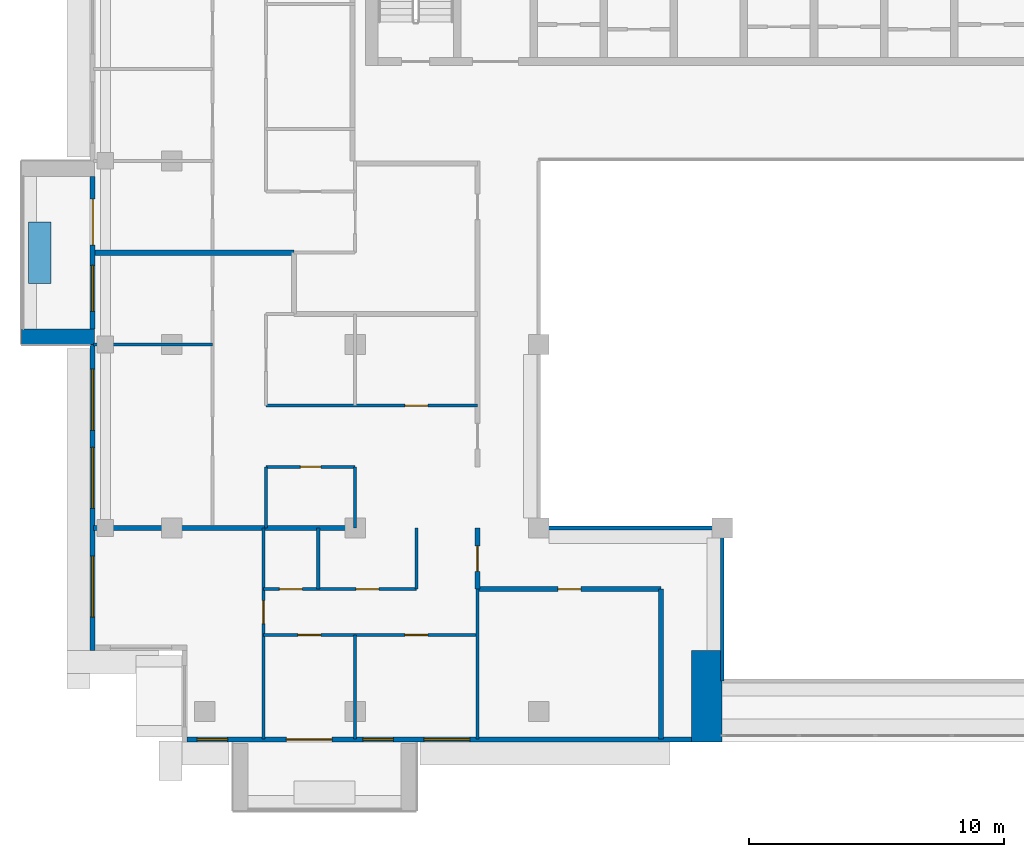
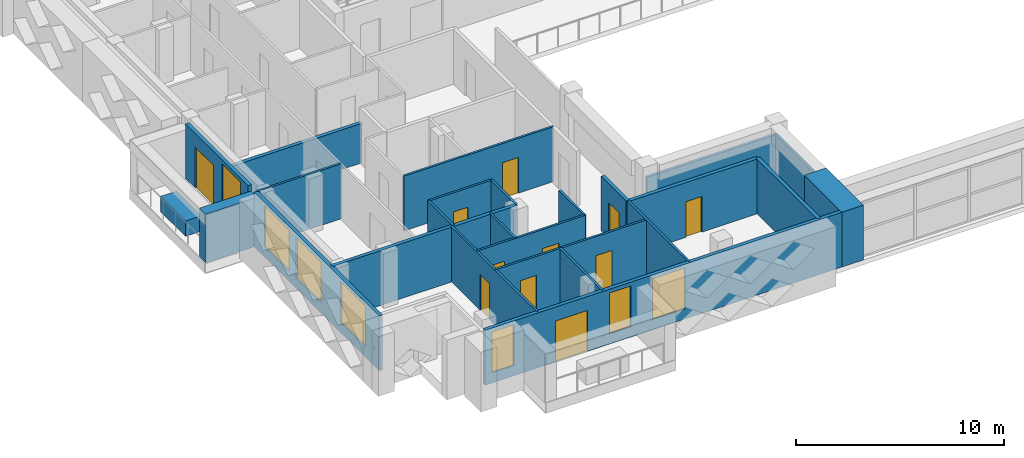
# One storey, part 6 of 19: 25 walls, 11 doors, 7 windows, 18 openings.
"""IFC4 building model written with IfcOpenShell, lengths in metres."""

from ifc_helpers import new_model, si_unit, direction, frame, frame_2d, origin, place, context, subcontext, project, spatial, rectangle, extrude, material, layer, layer_set, type_object, element, fill, save


model = new_model("IFC4")

# Units and contexts
model_context = context("Model", 3, precision=1e-05, world=origin(), true_north=direction((0.0, 1.0)))
body_context = subcontext(model_context, "Body", "Model", "MODEL_VIEW")
ifc_project = project(units=[si_unit("LENGTHUNIT", "METRE"), si_unit("AREAUNIT", "SQUARE_METRE"), si_unit("VOLUMEUNIT", "CUBIC_METRE"), si_unit("PLANEANGLEUNIT", "RADIAN"), si_unit("MASSUNIT", "GRAM", prefix="KILO")], contexts=[model_context])

# Site, building, storey
site_placement = place(None, origin())
site = spatial("IfcSite", under=ifc_project, at=site_placement, CompositionType="ELEMENT")
building_placement = place(site_placement, origin())
building = spatial("IfcBuilding", under=site, at=building_placement, Name="Saffron Iwan Residences", CompositionType="ELEMENT")
storey_placement = place(building_placement, frame((0.0, 0.0, 236.0)))
storey = spatial("IfcBuildingStorey", under=building, at=storey_placement, Name="L63", CompositionType="ELEMENT", Elevation=236.0)

# Walls
ifc_material_1 = material(Name="Fire-rated glazing", Category="glass")
ifc_layer_1 = layer(ifc_material_1, 0.14990234375)
ifc_layer_set_1 = layer_set([ifc_layer_1], Name="Fire-rated glazing")
wall_type_1 = type_object("IfcWallType", Name="Atrium glazed screen 150", PredefinedType="SOLIDWALL", material=ifc_layer_set_1)
wall_1_placement = place(storey_placement, frame((36.0, 48.0, 0.0), z_axis=(0.0, 0.0, 1.0), x_axis=(1.0, 0.0, 0.0)))
element("IfcWall", 1, at=wall_1_placement, inside=storey, type_object=wall_type_1, Name="W-L63-SCREEN-h48-36", PredefinedType="SOLIDWALL", context=body_context, shape_type="SweptSolid", body=[
    extrude(rectangle(XDim=7.199951171875, YDim=0.14990234375, at=frame_2d((3.60009765625, 0.0))), origin(), (0.0, 0.0, 1.0), 2.320068359375),
])
wall_2_placement = place(storey_placement, frame((43.199951171875, 42.0, 0.0), z_axis=(0.0, 0.0, 1.0), x_axis=(0.0, 1.0, 0.0)))
element("IfcWall", 2, at=wall_2_placement, inside=storey, type_object=wall_type_1, Name="W-L63-SCREEN-v43.2-42", PredefinedType="SOLIDWALL", context=body_context, shape_type="SweptSolid", body=[
    extrude(rectangle(XDim=6.0, YDim=0.14990234375, at=frame_2d((3.0, 0.0))), origin(), (0.0, 0.0, 1.0), 2.320068359375),
])
ifc_material_2 = material(Name="Concrete C50/60 white painted", Category="concrete")
ifc_layer_2 = layer(ifc_material_2, 0.60009765625)
ifc_layer_set_2 = layer_set([ifc_layer_2], Name="Concrete C50/60 white painted")
wall_type_2 = type_object("IfcWallType", Name="BALCONY FIN 600", PredefinedType="SOLIDWALL", material=ifc_layer_set_2)
wall_3_placement = place(storey_placement, frame((18.574951171875, 55.5, 0.0), z_axis=(0.0, 0.0, 1.0), x_axis=(-1.0, 0.0, 0.0)))
element("IfcWall", 3, at=wall_3_placement, inside=storey, type_object=wall_type_2, Name="Balcony fin L63 F8-0b", PredefinedType="SOLIDWALL", context=body_context, shape_type="SweptSolid", body=[
    extrude(rectangle(XDim=2.875, YDim=0.60009765625, at=frame_2d((1.4375, 0.0))), origin(), (0.0, 0.0, 1.0), 2.85009765625),
])
ifc_material_3 = material(Name="Concrete C35/45 white painted", Category="concrete")
ifc_layer_3 = layer(ifc_material_3, 0.14990234375)
ifc_layer_set_3 = layer_set([ifc_layer_3], Name="Concrete C35/45 white painted")
wall_type_3 = type_object("IfcWallType", Name="BALCONY PLANTER", PredefinedType="SOLIDWALL", material=ifc_layer_set_3)
wall_4_placement = place(storey_placement, frame((16.425048828125, 60.0, 0.0), z_axis=(0.0, 0.0, 1.0), x_axis=(0.0, -1.0, 0.0)))
element("IfcWall", 4, at=wall_4_placement, inside=storey, type_object=wall_type_3, Name="PLANTER L63 F8-0", PredefinedType="SOLIDWALL", context=body_context, shape_type="SweptSolid", body=[
    extrude(rectangle(XDim=2.39990234375, YDim=0.89990234375, at=frame_2d((1.199951171875, 0.0))), origin(), (0.0, 0.0, 1.0), 0.89990234375),
])

# Wall, openings, door, window
ifc_material_4 = material(Name="Concrete C40/50", Category="concrete")
ifc_layer_4 = layer(ifc_material_4, 0.199951171875)
ifc_layer_set_4 = layer_set([ifc_layer_4], Name="Concrete C40/50")
wall_type_4 = type_object("IfcWallType", Name="EXTERNAL WALL 200", PredefinedType="SOLIDWALL", material=ifc_layer_set_4)
wall_5_placement = place(storey_placement, frame((18.5, 61.800048828125, 0.0), z_axis=(0.0, 0.0, 1.0), x_axis=(0.0, -1.0, 0.0)))
wall_5 = element("IfcWall", 5, at=wall_5_placement, inside=storey, type_object=wall_type_4, Name="External wall L63 F8.1", PredefinedType="SOLIDWALL", context=body_context, shape_type="SweptSolid", body=[
    extrude(rectangle(XDim=6.0, YDim=0.199951171875, at=frame_2d((3.0, 0.0))), origin(), (0.0, 0.0, 1.0), 3.219970703125),
])
opening_1_placement = place(wall_5_placement, frame((0.89990234375, 0.0, 0.0)))
opening_1 = element("IfcOpeningElement", 6, at=opening_1_placement, cuts=wall_5, Name="Opening BD1", PredefinedType="OPENING", context=body_context, shape_type="SweptSolid", body=[
    extrude(rectangle(XDim=1.800048828125, YDim=2.39990234375, at=frame_2d((0.89990234375, 1.199951171875))), frame((0.0, 0.10986328125, 0.0), z_axis=(0.0, -1.0, 0.0), x_axis=(1.0, 0.0, 0.0)), (0.0, 0.0, 1.0), 0.219970703125),
])
opening_2_placement = place(wall_5_placement, frame((3.5, 0.0, 0.60009765625)))
opening_2 = element("IfcOpeningElement", 7, at=opening_2_placement, cuts=wall_5, Name="Opening W8", PredefinedType="OPENING", context=body_context, shape_type="SweptSolid", body=[
    extrude(rectangle(XDim=1.800048828125, YDim=2.39990234375, at=frame_2d((0.89990234375, 1.199951171875))), frame((0.0, 0.10986328125, 0.0), z_axis=(0.0, -1.0, 0.0), x_axis=(1.0, 0.0, 0.0)), (0.0, 0.0, 1.0), 0.219970703125),
])
ifc_material_5 = material(Name="Clear glass, laminated double glazed", Category="glass")
door_type_1 = type_object("IfcDoorType", Name="BALCONY DOOR 1800 x 2400", OperationType="DOUBLE_DOOR_SLIDING", PredefinedType="DOOR", material=ifc_material_5)
door_1_placement = place(opening_1_placement, origin())
door_1 = element("IfcDoor", 8, at=door_1_placement, inside=storey, type_object=door_type_1, Name="Balcony door L63 F8.0", OperationType="DOUBLE_DOOR_SLIDING", OverallHeight=2.39990234375, OverallWidth=1.800048828125, PredefinedType="DOOR", context=body_context, shape_type="SweptSolid", body=[
    extrude(rectangle(XDim=1.800048828125, YDim=2.39990234375, at=frame_2d((0.89990234375, 1.199951171875))), frame((0.0, 0.02490234375, 0.0), z_axis=(0.0, -1.0, 0.0), x_axis=(1.0, 0.0, 0.0)), (0.0, 0.0, 1.0), 0.050048828125),
])
fill(opening_1, door_1)
window_type_1 = type_object("IfcWindowType", Name="WINDOW 1800 x 2400", PartitioningType="DOUBLE_PANEL_VERTICAL", PredefinedType="WINDOW", material=ifc_material_5)
window_1_placement = place(opening_2_placement, origin())
window_1 = element("IfcWindow", 9, at=window_1_placement, inside=storey, type_object=window_type_1, Name="Window L63 F8.1", OverallHeight=2.39990234375, OverallWidth=1.800048828125, PartitioningType="DOUBLE_PANEL_VERTICAL", PredefinedType="WINDOW", context=body_context, shape_type="SweptSolid", body=[
    extrude(rectangle(XDim=1.800048828125, YDim=2.39990234375, at=frame_2d((0.89990234375, 1.199951171875))), frame((0.0, 0.030029296875, 0.0), z_axis=(0.0, -1.0, 0.0), x_axis=(1.0, 0.0, 0.0)), (0.0, 0.0, 1.0), 0.06005859375),
])
fill(opening_2, window_1)

# Wall, openings, windows
wall_6_placement = place(storey_placement, frame((18.5, 55.199951171875, 0.0), z_axis=(0.0, 0.0, 1.0), x_axis=(0.0, -1.0, 0.0)))
wall_6 = element("IfcWall", 10, at=wall_6_placement, inside=storey, type_object=wall_type_4, Name="External wall L63 F8.2", PredefinedType="SOLIDWALL", context=body_context, shape_type="SweptSolid", body=[
    extrude(rectangle(XDim=12.0, YDim=0.199951171875, at=frame_2d((6.0, 0.0))), origin(), (0.0, 0.0, 1.0), 3.219970703125),
])
opening_3_placement = place(wall_6_placement, frame((8.300048828125, 0.0, 0.60009765625)))
opening_3 = element("IfcOpeningElement", 11, at=opening_3_placement, cuts=wall_6, Name="Opening W1", PredefinedType="OPENING", context=body_context, shape_type="SweptSolid", body=[
    extrude(rectangle(XDim=2.39990234375, YDim=2.39990234375, at=frame_2d((1.199951171875, 1.199951171875))), frame((0.0, 0.10986328125, 0.0), z_axis=(0.0, -1.0, 0.0), x_axis=(1.0, 0.0, 0.0)), (0.0, 0.0, 1.0), 0.219970703125),
])
opening_4_placement = place(wall_6_placement, frame((0.966796875, 0.0, 0.60009765625)))
opening_4 = element("IfcOpeningElement", 12, at=opening_4_placement, cuts=wall_6, Name="Opening W1", PredefinedType="OPENING", context=body_context, shape_type="SweptSolid", body=[
    extrude(rectangle(XDim=2.39990234375, YDim=2.39990234375, at=frame_2d((1.199951171875, 1.199951171875))), frame((0.0, 0.10986328125, 0.0), z_axis=(0.0, -1.0, 0.0), x_axis=(1.0, 0.0, 0.0)), (0.0, 0.0, 1.0), 0.219970703125),
])
opening_5_placement = place(wall_6_placement, frame((4.033203125, 0.0, 0.60009765625)))
opening_5 = element("IfcOpeningElement", 13, at=opening_5_placement, cuts=wall_6, Name="Opening W1", PredefinedType="OPENING", context=body_context, shape_type="SweptSolid", body=[
    extrude(rectangle(XDim=2.39990234375, YDim=2.39990234375, at=frame_2d((1.199951171875, 1.199951171875))), frame((0.0, 0.10986328125, 0.0), z_axis=(0.0, -1.0, 0.0), x_axis=(1.0, 0.0, 0.0)), (0.0, 0.0, 1.0), 0.219970703125),
])
window_type_2 = type_object("IfcWindowType", Name="WINDOW 2400 x 2400", PartitioningType="DOUBLE_PANEL_VERTICAL", PredefinedType="WINDOW", material=ifc_material_5)
window_2_placement = place(opening_3_placement, origin())
window_2 = element("IfcWindow", 14, at=window_2_placement, inside=storey, type_object=window_type_2, Name="Window L63 F8.0", OverallHeight=2.39990234375, OverallWidth=2.39990234375, PartitioningType="DOUBLE_PANEL_VERTICAL", PredefinedType="WINDOW", context=body_context, shape_type="SweptSolid", body=[
    extrude(rectangle(XDim=2.39990234375, YDim=2.39990234375, at=frame_2d((1.199951171875, 1.199951171875))), frame((0.0, 0.030029296875, 0.0), z_axis=(0.0, -1.0, 0.0), x_axis=(1.0, 0.0, 0.0)), (0.0, 0.0, 1.0), 0.06005859375),
])
fill(opening_3, window_2)
window_3_placement = place(opening_4_placement, origin())
window_3 = element("IfcWindow", 15, at=window_3_placement, inside=storey, type_object=window_type_2, Name="Window L63 F8.1", OverallHeight=2.39990234375, OverallWidth=2.39990234375, PartitioningType="DOUBLE_PANEL_VERTICAL", PredefinedType="WINDOW", context=body_context, shape_type="SweptSolid", body=[
    extrude(rectangle(XDim=2.39990234375, YDim=2.39990234375, at=frame_2d((1.199951171875, 1.199951171875))), frame((0.0, 0.030029296875, 0.0), z_axis=(0.0, -1.0, 0.0), x_axis=(1.0, 0.0, 0.0)), (0.0, 0.0, 1.0), 0.06005859375),
])
fill(opening_4, window_3)
window_4_placement = place(opening_5_placement, origin())
window_4 = element("IfcWindow", 16, at=window_4_placement, inside=storey, type_object=window_type_2, Name="Window L63 F8.2", OverallHeight=2.39990234375, OverallWidth=2.39990234375, PartitioningType="DOUBLE_PANEL_VERTICAL", PredefinedType="WINDOW", context=body_context, shape_type="SweptSolid", body=[
    extrude(rectangle(XDim=2.39990234375, YDim=2.39990234375, at=frame_2d((1.199951171875, 1.199951171875))), frame((0.0, 0.030029296875, 0.0), z_axis=(0.0, -1.0, 0.0), x_axis=(1.0, 0.0, 0.0)), (0.0, 0.0, 1.0), 0.06005859375),
])
fill(opening_5, window_4)

# Wall, openings, door, windows
wall_7_placement = place(storey_placement, frame((22.199951171875, 39.699951171875, 0.0), z_axis=(0.0, 0.0, 1.0), x_axis=(1.0, 0.0, 0.0)))
wall_7 = element("IfcWall", 17, at=wall_7_placement, inside=storey, type_object=wall_type_4, Name="External wall L63 F11.0", PredefinedType="SOLIDWALL", context=body_context, shape_type="SweptSolid", body=[
    extrude(rectangle(XDim=19.800048828125, YDim=0.199951171875, at=frame_2d((9.89990234375, 0.0))), origin(), (0.0, 0.0, 1.0), 3.219970703125),
])
opening_6_placement = place(wall_7_placement, frame((3.89990234375, 0.0, 0.0)))
opening_6 = element("IfcOpeningElement", 18, at=opening_6_placement, cuts=wall_7, Name="Opening BD1", PredefinedType="OPENING", context=body_context, shape_type="SweptSolid", body=[
    extrude(rectangle(XDim=1.800048828125, YDim=2.39990234375, at=frame_2d((0.89990234375, 1.199951171875))), frame((0.0, 0.10986328125, 0.0), z_axis=(0.0, -1.0, 0.0), x_axis=(1.0, 0.0, 0.0)), (0.0, 0.0, 1.0), 0.219970703125),
])
opening_7_placement = place(wall_7_placement, frame((0.39990234375, 0.0, 0.60009765625)))
opening_7 = element("IfcOpeningElement", 19, at=opening_7_placement, cuts=wall_7, Name="Opening W3", PredefinedType="OPENING", context=body_context, shape_type="SweptSolid", body=[
    extrude(rectangle(XDim=1.199951171875, YDim=2.39990234375, at=frame_2d((0.60009765625, 1.199951171875))), frame((0.0, 0.10986328125, 0.0), z_axis=(0.0, -1.0, 0.0), x_axis=(1.0, 0.0, 0.0)), (0.0, 0.0, 1.0), 0.219970703125),
])
opening_8_placement = place(wall_7_placement, frame((6.89990234375, 0.0, 0.60009765625)))
opening_8 = element("IfcOpeningElement", 20, at=opening_8_placement, cuts=wall_7, Name="Opening W3", PredefinedType="OPENING", context=body_context, shape_type="SweptSolid", body=[
    extrude(rectangle(XDim=1.199951171875, YDim=2.39990234375, at=frame_2d((0.60009765625, 1.199951171875))), frame((0.0, 0.10986328125, 0.0), z_axis=(0.0, -1.0, 0.0), x_axis=(1.0, 0.0, 0.0)), (0.0, 0.0, 1.0), 0.219970703125),
])
opening_9_placement = place(wall_7_placement, frame((9.300048828125, 0.0, 0.60009765625)))
opening_9 = element("IfcOpeningElement", 21, at=opening_9_placement, cuts=wall_7, Name="Opening W8", PredefinedType="OPENING", context=body_context, shape_type="SweptSolid", body=[
    extrude(rectangle(XDim=1.800048828125, YDim=2.39990234375, at=frame_2d((0.89990234375, 1.199951171875))), frame((0.0, 0.10986328125, 0.0), z_axis=(0.0, -1.0, 0.0), x_axis=(1.0, 0.0, 0.0)), (0.0, 0.0, 1.0), 0.219970703125),
])
door_2_placement = place(opening_6_placement, origin())
door_2 = element("IfcDoor", 22, at=door_2_placement, inside=storey, type_object=door_type_1, Name="Balcony door L63 F11.0", OperationType="DOUBLE_DOOR_SLIDING", OverallHeight=2.39990234375, OverallWidth=1.800048828125, PredefinedType="DOOR", context=body_context, shape_type="SweptSolid", body=[
    extrude(rectangle(XDim=1.800048828125, YDim=2.39990234375, at=frame_2d((0.89990234375, 1.199951171875))), frame((0.0, 0.02490234375, 0.0), z_axis=(0.0, -1.0, 0.0), x_axis=(1.0, 0.0, 0.0)), (0.0, 0.0, 1.0), 0.050048828125),
])
fill(opening_6, door_2)
window_type_3 = type_object("IfcWindowType", Name="WINDOW 1200 x 2400", PartitioningType="SINGLE_PANEL", PredefinedType="WINDOW", material=ifc_material_5)
window_5_placement = place(opening_7_placement, origin())
window_5 = element("IfcWindow", 23, at=window_5_placement, inside=storey, type_object=window_type_3, Name="Window L63 F11.1", OverallHeight=2.39990234375, OverallWidth=1.199951171875, PartitioningType="SINGLE_PANEL", PredefinedType="WINDOW", context=body_context, shape_type="SweptSolid", body=[
    extrude(rectangle(XDim=1.199951171875, YDim=2.39990234375, at=frame_2d((0.60009765625, 1.199951171875))), frame((0.0, 0.030029296875, 0.0), z_axis=(0.0, -1.0, 0.0), x_axis=(1.0, 0.0, 0.0)), (0.0, 0.0, 1.0), 0.06005859375),
])
fill(opening_7, window_5)
window_6_placement = place(opening_8_placement, origin())
window_6 = element("IfcWindow", 24, at=window_6_placement, inside=storey, type_object=window_type_3, Name="Window L63 F11.2", OverallHeight=2.39990234375, OverallWidth=1.199951171875, PartitioningType="SINGLE_PANEL", PredefinedType="WINDOW", context=body_context, shape_type="SweptSolid", body=[
    extrude(rectangle(XDim=1.199951171875, YDim=2.39990234375, at=frame_2d((0.60009765625, 1.199951171875))), frame((0.0, 0.030029296875, 0.0), z_axis=(0.0, -1.0, 0.0), x_axis=(1.0, 0.0, 0.0)), (0.0, 0.0, 1.0), 0.06005859375),
])
fill(opening_8, window_6)
window_7_placement = place(opening_9_placement, origin())
window_7 = element("IfcWindow", 25, at=window_7_placement, inside=storey, type_object=window_type_1, Name="Window L63 F11.3", OverallHeight=2.39990234375, OverallWidth=1.800048828125, PartitioningType="DOUBLE_PANEL_VERTICAL", PredefinedType="WINDOW", context=body_context, shape_type="SweptSolid", body=[
    extrude(rectangle(XDim=1.800048828125, YDim=2.39990234375, at=frame_2d((0.89990234375, 1.199951171875))), frame((0.0, 0.030029296875, 0.0), z_axis=(0.0, -1.0, 0.0), x_axis=(1.0, 0.0, 0.0)), (0.0, 0.0, 1.0), 0.06005859375),
])
fill(opening_9, window_7)

# Walls
ifc_material_6 = material(Name="Fire-rated gypsum board wall")
ifc_layer_5 = layer(ifc_material_6, 0.199951171875)
ifc_layer_set_5 = layer_set([ifc_layer_5], Name="Fire-rated gypsum board wall")
wall_type_5 = type_object("IfcWallType", Name="Flat demising wall 200", PredefinedType="SOLIDWALL", material=ifc_layer_set_5)
wall_8_placement = place(storey_placement, frame((18.52490234375, 48.0, 0.0), z_axis=(0.0, 0.0, 1.0), x_axis=(1.0, 0.0, 0.0)))
element("IfcWall", 26, at=wall_8_placement, inside=storey, type_object=wall_type_5, Name="W-L63-DEMISE-h48-18.525", PredefinedType="SOLIDWALL", context=body_context, shape_type="SweptSolid", body=[
    extrude(rectangle(XDim=10.275146484375, YDim=0.199951171875, at=frame_2d((5.1376953125, 0.0))), origin(), (0.0, 0.0, 1.0), 3.219970703125),
])
wall_9_placement = place(storey_placement, frame((18.52490234375, 58.800048828125, 0.0), z_axis=(0.0, 0.0, 1.0), x_axis=(1.0, 0.0, 0.0)))
element("IfcWall", 27, at=wall_9_placement, inside=storey, type_object=wall_type_5, Name="W-L63-DEMISE-h58.8-18.525", PredefinedType="SOLIDWALL", context=body_context, shape_type="SweptSolid", body=[
    extrude(rectangle(XDim=7.875, YDim=0.199951171875, at=frame_2d((3.9375, 0.0))), origin(), (0.0, 0.0, 1.0), 2.320068359375),
])

# Wall, openings, doors
ifc_material_7 = material(Name="Gypsum board partition")
ifc_layer_6 = layer(ifc_material_7, 0.1201171875)
ifc_layer_set_6 = layer_set([ifc_layer_6], Name="Gypsum board partition")
wall_type_6 = type_object("IfcWallType", Name="Flat partition 120", PredefinedType="PARTITIONING", material=ifc_layer_set_6)
wall_10_placement = place(storey_placement, frame((25.199951171875, 43.800048828125, 0.0), z_axis=(0.0, 0.0, 1.0), x_axis=(1.0, 0.0, 0.0)))
wall_10 = element("IfcWall", 28, at=wall_10_placement, inside=storey, type_object=wall_type_6, Name="W-L63-PART-h43.8-25.2", PredefinedType="PARTITIONING", context=body_context, shape_type="SweptSolid", body=[
    extrude(rectangle(XDim=8.400146484375, YDim=0.1201171875, at=frame_2d((4.2001953125, 0.0))), origin(), (0.0, 0.0, 1.0), 3.219970703125),
])
opening_10_placement = place(wall_10_placement, frame((1.35009765625, 0.0, 0.0)))
opening_10 = element("IfcOpeningElement", 29, at=opening_10_placement, cuts=wall_10, Name="Opening FD2", PredefinedType="OPENING", context=body_context, shape_type="SweptSolid", body=[
    extrude(rectangle(XDim=0.89990234375, YDim=2.10009765625, at=frame_2d((0.449951171875, 1.050048828125))), frame((0.0, 0.070068359375, 0.0), z_axis=(0.0, -1.0, 0.0), x_axis=(1.0, 0.0, 0.0)), (0.0, 0.0, 1.0), 0.14013671875),
])
opening_11_placement = place(wall_10_placement, frame((5.550048828125, 0.0, 0.0)))
opening_11 = element("IfcOpeningElement", 30, at=opening_11_placement, cuts=wall_10, Name="Opening FD2", PredefinedType="OPENING", context=body_context, shape_type="SweptSolid", body=[
    extrude(rectangle(XDim=0.89990234375, YDim=2.10009765625, at=frame_2d((0.449951171875, 1.050048828125))), frame((0.0, 0.070068359375, 0.0), z_axis=(0.0, -1.0, 0.0), x_axis=(1.0, 0.0, 0.0)), (0.0, 0.0, 1.0), 0.14013671875),
])
ifc_material_8 = material(Name="Timber door", Category="wood")
door_type_2 = type_object("IfcDoorType", Name="Flat door 900", OperationType="NOTDEFINED", PredefinedType="DOOR", material=ifc_material_8)
door_3_placement = place(opening_10_placement, origin())
door_3 = element("IfcDoor", 31, at=door_3_placement, inside=storey, type_object=door_type_2, Name="Door L63-003", OperationType="SINGLE_SWING_LEFT", OverallHeight=2.10009765625, OverallWidth=0.89990234375, PredefinedType="DOOR", context=body_context, shape_type="SweptSolid", body=[
    extrude(rectangle(XDim=0.89990234375, YDim=2.10009765625, at=frame_2d((0.449951171875, 1.050048828125))), frame((0.0, 0.02490234375, 0.0), z_axis=(0.0, -1.0, 0.0), x_axis=(1.0, 0.0, 0.0)), (0.0, 0.0, 1.0), 0.050048828125),
])
fill(opening_10, door_3)
door_4_placement = place(opening_11_placement, origin())
door_4 = element("IfcDoor", 32, at=door_4_placement, inside=storey, type_object=door_type_2, Name="Door L63-004", OperationType="SINGLE_SWING_RIGHT", OverallHeight=2.10009765625, OverallWidth=0.89990234375, PredefinedType="DOOR", context=body_context, shape_type="SweptSolid", body=[
    extrude(rectangle(XDim=0.89990234375, YDim=2.10009765625, at=frame_2d((0.449951171875, 1.050048828125))), frame((0.0, 0.02490234375, 0.0), z_axis=(0.0, -1.0, 0.0), x_axis=(1.0, 0.0, 0.0)), (0.0, 0.0, 1.0), 0.050048828125),
])
fill(opening_11, door_4)

wall_11_placement = place(storey_placement, frame((25.199951171875, 45.60009765625, 0.0), z_axis=(0.0, 0.0, 1.0), x_axis=(1.0, 0.0, 0.0)))
wall_11 = element("IfcWall", 33, at=wall_11_placement, inside=storey, type_object=wall_type_6, Name="W-L63-PART-h45.6-25.2", PredefinedType="PARTITIONING", context=body_context, shape_type="SweptSolid", body=[
    extrude(rectangle(XDim=6.0, YDim=0.1201171875, at=frame_2d((3.0, 0.0))), origin(), (0.0, 0.0, 1.0), 3.219970703125),
])
opening_12_placement = place(wall_11_placement, frame((0.625, 0.0, 0.0)))
opening_12 = element("IfcOpeningElement", 34, at=opening_12_placement, cuts=wall_11, Name="Opening FD2", PredefinedType="OPENING", context=body_context, shape_type="SweptSolid", body=[
    extrude(rectangle(XDim=0.89990234375, YDim=2.10009765625, at=frame_2d((0.449951171875, 1.050048828125))), frame((0.0, 0.070068359375, 0.0), z_axis=(0.0, -1.0, 0.0), x_axis=(1.0, 0.0, 0.0)), (0.0, 0.0, 1.0), 0.14013671875),
])
opening_13_placement = place(wall_11_placement, frame((3.625, 0.0, 0.0)))
opening_13 = element("IfcOpeningElement", 35, at=opening_13_placement, cuts=wall_11, Name="Opening FD2", PredefinedType="OPENING", context=body_context, shape_type="SweptSolid", body=[
    extrude(rectangle(XDim=0.89990234375, YDim=2.10009765625, at=frame_2d((0.449951171875, 1.050048828125))), frame((0.0, 0.070068359375, 0.0), z_axis=(0.0, -1.0, 0.0), x_axis=(1.0, 0.0, 0.0)), (0.0, 0.0, 1.0), 0.14013671875),
])
door_5_placement = place(opening_12_placement, origin())
door_5 = element("IfcDoor", 36, at=door_5_placement, inside=storey, type_object=door_type_2, Name="Door L63-005", OperationType="SINGLE_SWING_LEFT", OverallHeight=2.10009765625, OverallWidth=0.89990234375, PredefinedType="DOOR", context=body_context, shape_type="SweptSolid", body=[
    extrude(rectangle(XDim=0.89990234375, YDim=2.10009765625, at=frame_2d((0.449951171875, 1.050048828125))), frame((0.0, 0.02490234375, 0.0), z_axis=(0.0, -1.0, 0.0), x_axis=(1.0, 0.0, 0.0)), (0.0, 0.0, 1.0), 0.050048828125),
])
fill(opening_12, door_5)
door_6_placement = place(opening_13_placement, origin())
door_6 = element("IfcDoor", 37, at=door_6_placement, inside=storey, type_object=door_type_2, Name="Door L63-006", OperationType="SINGLE_SWING_LEFT", OverallHeight=2.10009765625, OverallWidth=0.89990234375, PredefinedType="DOOR", context=body_context, shape_type="SweptSolid", body=[
    extrude(rectangle(XDim=0.89990234375, YDim=2.10009765625, at=frame_2d((0.449951171875, 1.050048828125))), frame((0.0, 0.02490234375, 0.0), z_axis=(0.0, -1.0, 0.0), x_axis=(1.0, 0.0, 0.0)), (0.0, 0.0, 1.0), 0.050048828125),
])
fill(opening_13, door_6)

# Wall, opening, door
wall_12_placement = place(storey_placement, frame((25.300048828125, 50.39990234375, 0.0), z_axis=(0.0, 0.0, 1.0), x_axis=(1.0, 0.0, 0.0)))
wall_12 = element("IfcWall", 38, at=wall_12_placement, inside=storey, type_object=wall_type_6, Name="W-L63-PART-h50.4-25.3", PredefinedType="PARTITIONING", context=body_context, shape_type="SweptSolid", body=[
    extrude(rectangle(XDim=3.5, YDim=0.1201171875, at=frame_2d((1.75, 0.0))), origin(), (0.0, 0.0, 1.0), 3.219970703125),
])
opening_14_placement = place(wall_12_placement, frame((1.35009765625, 0.0, 0.0)))
opening_14 = element("IfcOpeningElement", 39, at=opening_14_placement, cuts=wall_12, Name="Opening FD3", PredefinedType="OPENING", context=body_context, shape_type="SweptSolid", body=[
    extrude(rectangle(XDim=0.800048828125, YDim=2.10009765625, at=frame_2d((0.39990234375, 1.050048828125))), frame((0.0, 0.070068359375, 0.0), z_axis=(0.0, -1.0, 0.0), x_axis=(1.0, 0.0, 0.0)), (0.0, 0.0, 1.0), 0.14013671875),
])
door_type_3 = type_object("IfcDoorType", Name="Bathroom door 800", OperationType="NOTDEFINED", PredefinedType="DOOR", material=ifc_material_8)
door_7_placement = place(opening_14_placement, origin())
door_7 = element("IfcDoor", 40, at=door_7_placement, inside=storey, type_object=door_type_3, Name="Door L63-011", OperationType="SINGLE_SWING_LEFT", OverallHeight=2.10009765625, OverallWidth=0.800048828125, PredefinedType="DOOR", context=body_context, shape_type="SweptSolid", body=[
    extrude(rectangle(XDim=0.800048828125, YDim=2.10009765625, at=frame_2d((0.39990234375, 1.050048828125))), frame((0.0, 0.02490234375, 0.0), z_axis=(0.0, -1.0, 0.0), x_axis=(1.0, 0.0, 0.0)), (0.0, 0.0, 1.0), 0.050048828125),
])
fill(opening_14, door_7)

wall_13_placement = place(storey_placement, frame((25.300048828125, 52.800048828125, 0.0), z_axis=(0.0, 0.0, 1.0), x_axis=(1.0, 0.0, 0.0)))
wall_13 = element("IfcWall", 41, at=wall_13_placement, inside=storey, type_object=wall_type_6, Name="W-L63-PART-h52.8-25.3", PredefinedType="PARTITIONING", context=body_context, shape_type="SweptSolid", body=[
    extrude(rectangle(XDim=8.300048828125, YDim=0.1201171875, at=frame_2d((4.14990234375, 0.0))), origin(), (0.0, 0.0, 1.0), 3.219970703125),
])
opening_15_placement = place(wall_13_placement, frame((5.449951171875, 0.0, 0.0)))
opening_15 = element("IfcOpeningElement", 42, at=opening_15_placement, cuts=wall_13, Name="Opening FD2", PredefinedType="OPENING", context=body_context, shape_type="SweptSolid", body=[
    extrude(rectangle(XDim=0.89990234375, YDim=2.10009765625, at=frame_2d((0.449951171875, 1.050048828125))), frame((0.0, 0.070068359375, 0.0), z_axis=(0.0, -1.0, 0.0), x_axis=(1.0, 0.0, 0.0)), (0.0, 0.0, 1.0), 0.14013671875),
])
door_8_placement = place(opening_15_placement, origin())
door_8 = element("IfcDoor", 43, at=door_8_placement, inside=storey, type_object=door_type_2, Name="Door L63-013", OperationType="SINGLE_SWING_RIGHT", OverallHeight=2.10009765625, OverallWidth=0.89990234375, PredefinedType="DOOR", context=body_context, shape_type="SweptSolid", body=[
    extrude(rectangle(XDim=0.89990234375, YDim=2.10009765625, at=frame_2d((0.449951171875, 1.050048828125))), frame((0.0, 0.02490234375, 0.0), z_axis=(0.0, -1.0, 0.0), x_axis=(1.0, 0.0, 0.0)), (0.0, 0.0, 1.0), 0.050048828125),
])
fill(opening_15, door_8)

# Wall
wall_14_placement = place(storey_placement, frame((18.52490234375, 55.199951171875, 0.0), z_axis=(0.0, 0.0, 1.0), x_axis=(1.0, 0.0, 0.0)))
element("IfcWall", 44, at=wall_14_placement, inside=storey, type_object=wall_type_6, Name="W-L63-PART-h55.2-18.525", PredefinedType="PARTITIONING", context=body_context, shape_type="SweptSolid", body=[
    extrude(rectangle(XDim=4.675048828125, YDim=0.1201171875, at=frame_2d((2.33740234375, 0.0))), origin(), (0.0, 0.0, 1.0), 3.219970703125),
])

# Wall, opening, door
wall_15_placement = place(storey_placement, frame((25.199951171875, 39.72509765625, 0.0), z_axis=(0.0, 0.0, 1.0), x_axis=(0.0, 1.0, 0.0)))
wall_15 = element("IfcWall", 45, at=wall_15_placement, inside=storey, type_object=wall_type_6, Name="W-L63-PART-v25.2-39.725", PredefinedType="PARTITIONING", context=body_context, shape_type="SweptSolid", body=[
    extrude(rectangle(XDim=8.27490234375, YDim=0.1201171875, at=frame_2d((4.137451171875, 0.0))), origin(), (0.0, 0.0, 1.0), 3.219970703125),
])
opening_16_placement = place(wall_15_placement, frame((4.52490234375, 0.0, 0.0)))
opening_16 = element("IfcOpeningElement", 46, at=opening_16_placement, cuts=wall_15, Name="Opening FD2", PredefinedType="OPENING", context=body_context, shape_type="SweptSolid", body=[
    extrude(rectangle(XDim=0.89990234375, YDim=2.10009765625, at=frame_2d((0.449951171875, 1.050048828125))), frame((0.0, 0.070068359375, 0.0), z_axis=(0.0, -1.0, 0.0), x_axis=(1.0, 0.0, 0.0)), (0.0, 0.0, 1.0), 0.14013671875),
])
door_9_placement = place(opening_16_placement, origin())
door_9 = element("IfcDoor", 47, at=door_9_placement, inside=storey, type_object=door_type_2, Name="Door L63-002", OperationType="SINGLE_SWING_LEFT", OverallHeight=2.10009765625, OverallWidth=0.89990234375, PredefinedType="DOOR", context=body_context, shape_type="SweptSolid", body=[
    extrude(rectangle(XDim=0.89990234375, YDim=2.10009765625, at=frame_2d((0.449951171875, 1.050048828125))), frame((0.0, 0.02490234375, 0.0), z_axis=(0.0, -1.0, 0.0), x_axis=(1.0, 0.0, 0.0)), (0.0, 0.0, 1.0), 0.050048828125),
])
fill(opening_16, door_9)

# Walls
for number, where, z_axis, x_axis, name in (
    (48, (25.300048828125, 48.0, 0.0), (0.0, 0.0, 1.0), (0.0, 1.0, 0.0), "W-L63-PART-v25.3-48"),
    (49, (27.35009765625, 45.60009765625, 0.0), (0.0, 0.0, 1.0), (0.0, 1.0, 0.0), "W-L63-PART-v27.35-45.6"),
):
    element("IfcWall", number, at=place(storey_placement, frame(where, z_axis=z_axis, x_axis=x_axis)), inside=storey, type_object=wall_type_6, Name=name, PredefinedType="PARTITIONING", context=body_context, shape_type="SweptSolid", body=[
        extrude(rectangle(XDim=2.39990234375, YDim=0.1201171875, at=frame_2d((1.199951171875, 0.0))), origin(), (0.0, 0.0, 1.0), 3.219970703125),
    ])
wall_16_placement = place(storey_placement, frame((28.800048828125, 39.72509765625, 0.0), z_axis=(0.0, 0.0, 1.0), x_axis=(0.0, 1.0, 0.0)))
element("IfcWall", 50, at=wall_16_placement, inside=storey, type_object=wall_type_6, Name="W-L63-PART-v28.8-39.725", PredefinedType="PARTITIONING", context=body_context, shape_type="SweptSolid", body=[
    extrude(rectangle(XDim=4.074951171875, YDim=0.1201171875, at=frame_2d((2.03759765625, 0.0))), origin(), (0.0, 0.0, 1.0), 3.219970703125),
])
for number, where, z_axis, x_axis, name in (
    (51, (28.800048828125, 48.0, 0.0), (0.0, 0.0, 1.0), (0.0, 1.0, 0.0), "W-L63-PART-v28.8-48"),
    (52, (31.199951171875, 45.60009765625, 0.0), (0.0, 0.0, 1.0), (0.0, 1.0, 0.0), "W-L63-PART-v31.2-45.6"),
):
    element("IfcWall", number, at=place(storey_placement, frame(where, z_axis=z_axis, x_axis=x_axis)), inside=storey, type_object=wall_type_6, Name=name, PredefinedType="PARTITIONING", context=body_context, shape_type="SweptSolid", body=[
        extrude(rectangle(XDim=2.39990234375, YDim=0.1201171875, at=frame_2d((1.199951171875, 0.0))), origin(), (0.0, 0.0, 1.0), 3.219970703125),
    ])
wall_17_placement = place(storey_placement, frame((33.60009765625, 39.72509765625, 0.0), z_axis=(0.0, 0.0, 1.0), x_axis=(0.0, 1.0, 0.0)))
element("IfcWall", 53, at=wall_17_placement, inside=storey, type_object=wall_type_6, Name="W-L63-PART-v33.6-39.725", PredefinedType="PARTITIONING", context=body_context, shape_type="SweptSolid", body=[
    extrude(rectangle(XDim=5.875, YDim=0.1201171875, at=frame_2d((2.9375, 0.0))), origin(), (0.0, 0.0, 1.0), 3.219970703125),
])

# Wall, opening, door
ifc_layer_7 = layer(ifc_material_6, 0.199951171875)
ifc_layer_set_7 = layer_set([ifc_layer_7], Name="Fire-rated gypsum board wall")
wall_type_7 = type_object("IfcWallType", Name="Gallery wall 200", PredefinedType="SOLIDWALL", material=ifc_layer_set_7)
wall_18_placement = place(storey_placement, frame((33.60009765625, 45.60009765625, 0.0), z_axis=(0.0, 0.0, 1.0), x_axis=(1.0, 0.0, 0.0)))
wall_18 = element("IfcWall", 54, at=wall_18_placement, inside=storey, type_object=wall_type_7, Name="W-L63-CORR-h45.6-33.6", PredefinedType="SOLIDWALL", context=body_context, shape_type="SweptSolid", body=[
    extrude(rectangle(XDim=7.199951171875, YDim=0.199951171875, at=frame_2d((3.60009765625, 0.0))), origin(), (0.0, 0.0, 1.0), 3.219970703125),
])
opening_17_placement = place(wall_18_placement, frame((3.14990234375, 0.0, 0.0)))
opening_17 = element("IfcOpeningElement", 55, at=opening_17_placement, cuts=wall_18, Name="Opening FD2", PredefinedType="OPENING", context=body_context, shape_type="SweptSolid", body=[
    extrude(rectangle(XDim=0.89990234375, YDim=2.10009765625, at=frame_2d((0.449951171875, 1.050048828125))), frame((0.0, 0.10986328125, 0.0), z_axis=(0.0, -1.0, 0.0), x_axis=(1.0, 0.0, 0.0)), (0.0, 0.0, 1.0), 0.219970703125),
])
door_10_placement = place(opening_17_placement, origin())
door_10 = element("IfcDoor", 56, at=door_10_placement, inside=storey, type_object=door_type_2, Name="Door L63-007", OperationType="SINGLE_SWING_RIGHT", OverallHeight=2.10009765625, OverallWidth=0.89990234375, PredefinedType="DOOR", context=body_context, shape_type="SweptSolid", body=[
    extrude(rectangle(XDim=0.89990234375, YDim=2.10009765625, at=frame_2d((0.449951171875, 1.050048828125))), frame((0.0, 0.02490234375, 0.0), z_axis=(0.0, -1.0, 0.0), x_axis=(1.0, 0.0, 0.0)), (0.0, 0.0, 1.0), 0.050048828125),
])
fill(opening_17, door_10)

wall_19_placement = place(storey_placement, frame((33.60009765625, 45.60009765625, 0.0), z_axis=(0.0, 0.0, 1.0), x_axis=(0.0, 1.0, 0.0)))
wall_19 = element("IfcWall", 57, at=wall_19_placement, inside=storey, type_object=wall_type_7, Name="W-L63-CORR-v33.6-45.6", PredefinedType="SOLIDWALL", context=body_context, shape_type="SweptSolid", body=[
    extrude(rectangle(XDim=2.39990234375, YDim=0.199951171875, at=frame_2d((1.199951171875, 0.0))), origin(), (0.0, 0.0, 1.0), 3.219970703125),
])
opening_18_placement = place(wall_19_placement, frame((0.699951171875, 0.0, 0.0)))
opening_18 = element("IfcOpeningElement", 58, at=opening_18_placement, cuts=wall_19, Name="Opening FD1", PredefinedType="OPENING", context=body_context, shape_type="SweptSolid", body=[
    extrude(rectangle(XDim=1.0, YDim=2.10009765625, at=frame_2d((0.5, 1.050048828125))), frame((0.0, 0.10986328125, 0.0), z_axis=(0.0, -1.0, 0.0), x_axis=(1.0, 0.0, 0.0)), (0.0, 0.0, 1.0), 0.219970703125),
])
ifc_material_9 = material(Name="Fire-rated timber door", Category="wood")
door_type_4 = type_object("IfcDoorType", Name="FD30S flat entrance door 1000", OperationType="NOTDEFINED", PredefinedType="DOOR", material=ifc_material_9)
door_11_placement = place(opening_18_placement, origin())
door_11 = element("IfcDoor", 59, at=door_11_placement, inside=storey, type_object=door_type_4, Name="Door L63-001", OperationType="SINGLE_SWING_RIGHT", OverallHeight=2.10009765625, OverallWidth=1.0, PredefinedType="DOOR", context=body_context, shape_type="SweptSolid", body=[
    extrude(rectangle(XDim=1.0, YDim=2.10009765625, at=frame_2d((0.5, 1.050048828125))), frame((0.0, 0.02490234375, 0.0), z_axis=(0.0, -1.0, 0.0), x_axis=(1.0, 0.0, 0.0)), (0.0, 0.0, 1.0), 0.050048828125),
])
fill(opening_18, door_11)

# Walls
wall_20_placement = place(storey_placement, frame((40.800048828125, 39.72509765625, 0.0), z_axis=(0.0, 0.0, 1.0), x_axis=(0.0, 1.0, 0.0)))
element("IfcWall", 60, at=wall_20_placement, inside=storey, type_object=wall_type_7, Name="W-L63-CORR-v40.8-39.725", PredefinedType="SOLIDWALL", context=body_context, shape_type="SweptSolid", body=[
    extrude(rectangle(XDim=5.875, YDim=0.199951171875, at=frame_2d((2.9375, 0.0))), origin(), (0.0, 0.0, 1.0), 3.219970703125),
])
ifc_layer_8 = layer(ifc_material_4, 1.199951171875)
ifc_layer_set_8 = layer_set([ifc_layer_8], Name="Concrete C40/50")
wall_type_8 = type_object("IfcWallType", Name="WALL IWAN PIER 1200 C40/50 3220 HIGH", PredefinedType="SHEAR", material=ifc_layer_set_8)
wall_21_placement = place(storey_placement, frame((42.60009765625, 39.60009765625, 0.0), z_axis=(0.0, 0.0, 1.0), x_axis=(0.0, 1.0, 0.0)))
element("IfcWall", 61, at=wall_21_placement, inside=storey, type_object=wall_type_8, Name="IWAN PIER", PredefinedType="SHEAR", context=body_context, shape_type="SweptSolid", body=[
    extrude(rectangle(XDim=3.599853515625, YDim=1.199951171875, at=frame_2d((1.7998046875, 0.0))), origin(), (0.0, 0.0, 1.0), 3.219970703125),
])

save(model, "model.ifc")
